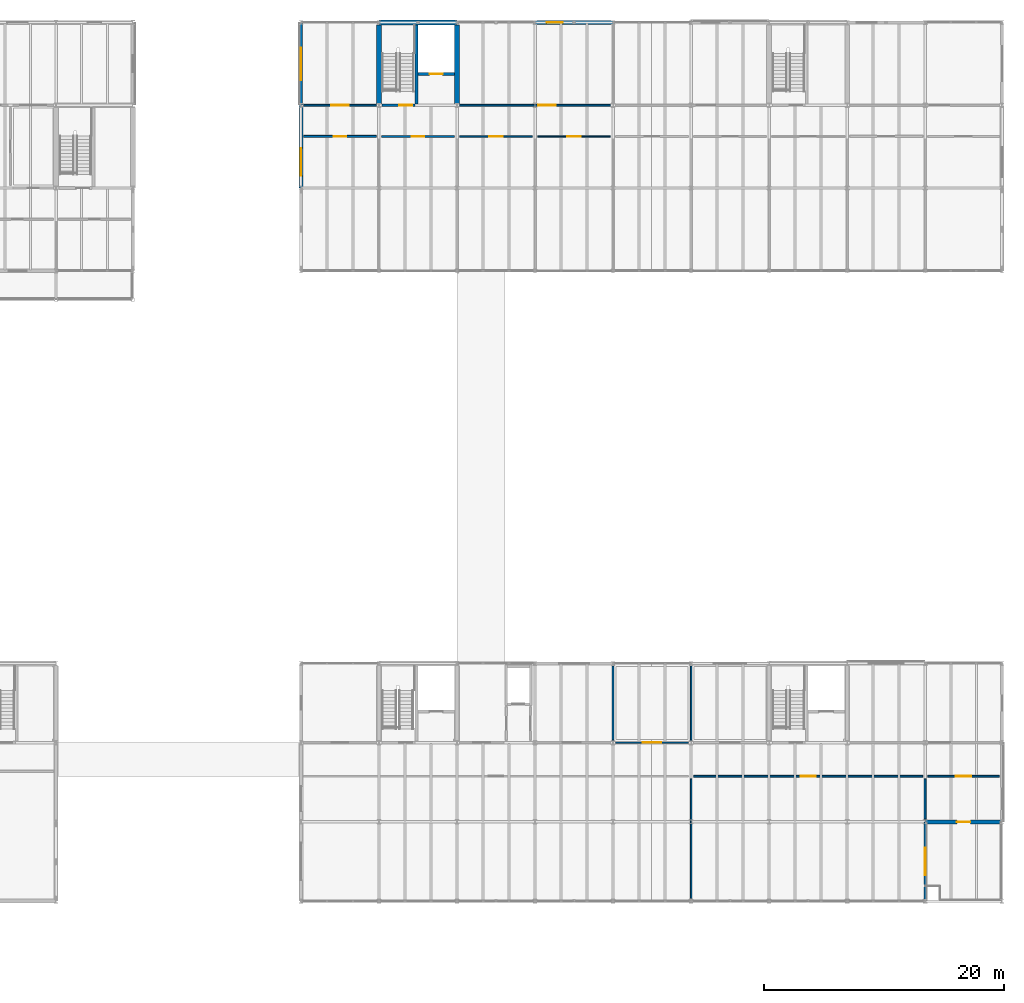
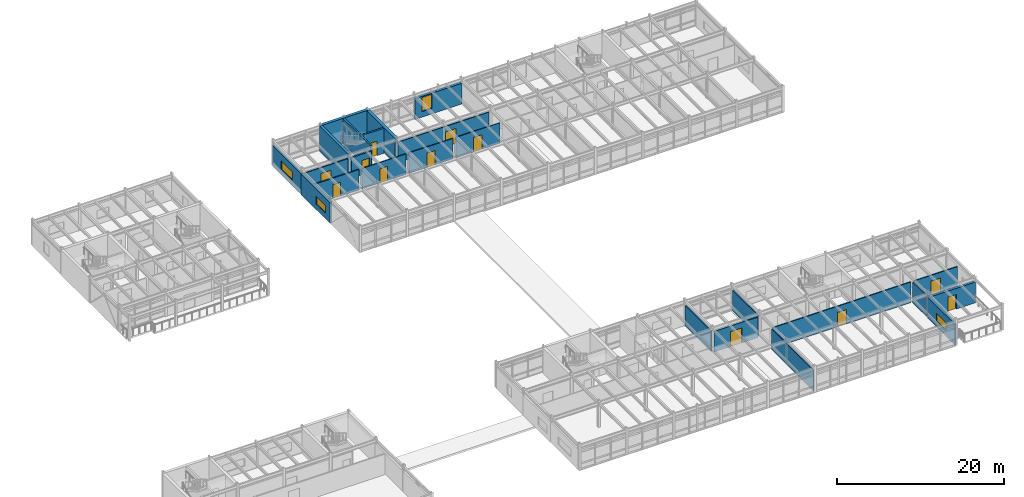
# One storey, part 41 of 49: 24 walls, 12 doors, 4 windows, 16 openings.
"""IFC4 building model written with IfcOpenShell, lengths in metres."""

from ifc_helpers import new_model, si_unit, direction, frame, frame_2d, origin, place, context, subcontext, project, spatial, rectangle, extrude, material, layer, layer_set, type_object, element, fill, save


model = new_model("IFC4")

# Units and contexts
model_context = context("Model", 3, precision=1e-05, world=origin(), true_north=direction((0.0, 1.0)))
body_context = subcontext(model_context, "Body", "Model", "MODEL_VIEW")
ifc_project = project(units=[si_unit("LENGTHUNIT", "METRE"), si_unit("AREAUNIT", "SQUARE_METRE"), si_unit("VOLUMEUNIT", "CUBIC_METRE"), si_unit("PLANEANGLEUNIT", "RADIAN"), si_unit("MASSUNIT", "GRAM", prefix="KILO")], contexts=[model_context])

# Site, building, storey
site_placement = place(None, origin())
site = spatial("IfcSite", under=ifc_project, at=site_placement, CompositionType="ELEMENT")
building_placement = place(site_placement, origin())
building = spatial("IfcBuilding", under=site, at=building_placement, Name="Trelmorton Wharf Fire Station", CompositionType="ELEMENT")
storey_placement = place(building_placement, frame((0.0, 0.0, 9.60009765625)))
storey = spatial("IfcBuildingStorey", under=building, at=storey_placement, Name="L02", CompositionType="ELEMENT", Elevation=9.60009765625)

# Wall, opening, window
ifc_material_1 = material(Name="Precast concrete 45 MPa", Category="concrete")
ifc_layer_1 = layer(ifc_material_1, 0.22998046875)
ifc_layer_set_1 = layer_set([ifc_layer_1], Name="Precast concrete 45 MPa")
wall_type_1 = type_object("IfcWallType", Name="EW_PREC_230", PredefinedType="SOLIDWALL", material=ifc_layer_set_1)
wall_1_placement = place(storey_placement, frame((156.0, 14.39501953125, 0.0), z_axis=(0.0, 0.0, 1.0), x_axis=(0.0, -1.0, 0.0)))
wall_1 = element("IfcWall", 1, at=wall_1_placement, inside=storey, type_object=wall_type_1, Name="EW-V5-L02-0090", PredefinedType="SOLIDWALL", context=body_context, shape_type="SweptSolid", body=[
    extrude(rectangle(XDim=6.590087890625, YDim=0.22998046875, at=frame_2d((3.294921875, 0.0))), origin(), (0.0, 0.0, 1.0), 3.02001953125),
])
opening_1_placement = place(wall_1_placement, frame((2.14501953125, 0.0, 0.800048828125)))
opening_1 = element("IfcOpeningElement", 2, at=opening_1_placement, cuts=wall_1, Name="Opening W25", PredefinedType="OPENING", context=body_context, shape_type="SweptSolid", body=[
    extrude(rectangle(XDim=2.300048828125, YDim=1.14990234375, at=frame_2d((1.14990234375, 0.574951171875))), frame((0.0, 0.125, 0.0), z_axis=(0.0, -1.0, 0.0), x_axis=(1.0, 0.0, 0.0)), (0.0, 0.0, 1.0), 0.25),
])
ifc_material_2 = material(Name="Tempered low-E double glazing", Category="glass")
window_type_1 = type_object("IfcWindowType", Name="WIN_W25", PartitioningType="DOUBLE_PANEL_VERTICAL", PredefinedType="WINDOW", material=ifc_material_2)
window_1_placement = place(opening_1_placement, origin())
window_1 = element("IfcWindow", 3, at=window_1_placement, inside=storey, type_object=window_type_1, Name="WN-V5-L02-0040", OverallHeight=1.14990234375, OverallWidth=2.300048828125, PartitioningType="DOUBLE_PANEL_VERTICAL", PredefinedType="WINDOW", context=body_context, shape_type="SweptSolid", body=[
    extrude(rectangle(XDim=2.300048828125, YDim=1.14990234375, at=frame_2d((1.14990234375, 0.574951171875))), frame((0.0, 0.030029296875, 0.0), z_axis=(0.0, -1.0, 0.0), x_axis=(1.0, 0.0, 0.0)), (0.0, 0.0, 1.0), 0.06005859375),
])
fill(opening_1, window_1)

wall_2_placement = place(storey_placement, frame((104.0, 74.10498046875, 0.0), z_axis=(0.0, 0.0, 1.0), x_axis=(0.0, 1.0, 0.0)))
wall_2 = element("IfcWall", 4, at=wall_2_placement, inside=storey, type_object=wall_type_1, Name="EW-V4-L02-0234", PredefinedType="SOLIDWALL", context=body_context, shape_type="SweptSolid", body=[
    extrude(rectangle(XDim=6.89013671875, YDim=0.22998046875, at=frame_2d((3.445068359375, 0.0))), origin(), (0.0, 0.0, 1.0), 3.02001953125),
])
opening_2_placement = place(wall_2_placement, frame((2.094970703125, 0.0, 0.800048828125)))
opening_2 = element("IfcOpeningElement", 5, at=opening_2_placement, cuts=wall_2, Name="Opening W27", PredefinedType="OPENING", context=body_context, shape_type="SweptSolid", body=[
    extrude(rectangle(XDim=2.699951171875, YDim=1.14990234375, at=frame_2d((1.35009765625, 0.574951171875))), frame((0.0, 0.125, 0.0), z_axis=(0.0, -1.0, 0.0), x_axis=(1.0, 0.0, 0.0)), (0.0, 0.0, 1.0), 0.25),
])
window_type_2 = type_object("IfcWindowType", Name="WIN_W27", PartitioningType="TRIPLE_PANEL_VERTICAL", PredefinedType="WINDOW", material=ifc_material_2)
window_2_placement = place(opening_2_placement, origin())
window_2 = element("IfcWindow", 6, at=window_2_placement, inside=storey, type_object=window_type_2, Name="WN-V4-L02-0134", OverallHeight=1.14990234375, OverallWidth=2.699951171875, PartitioningType="TRIPLE_PANEL_VERTICAL", PredefinedType="WINDOW", context=body_context, shape_type="SweptSolid", body=[
    extrude(rectangle(XDim=2.699951171875, YDim=1.14990234375, at=frame_2d((1.35009765625, 0.574951171875))), frame((0.0, 0.030029296875, 0.0), z_axis=(0.0, -1.0, 0.0), x_axis=(1.0, 0.0, 0.0)), (0.0, 0.0, 1.0), 0.06005859375),
])
fill(opening_2, window_2)

ifc_layer_2 = layer(ifc_material_1, 0.31005859375)
ifc_layer_set_2 = layer_set([ifc_layer_2], Name="Precast concrete 45 MPa")
wall_type_2 = type_object("IfcWallType", Name="EW_TERR_310", PredefinedType="SOLIDWALL", material=ifc_layer_set_2)
wall_3_placement = place(storey_placement, frame((104.0, 67.205078125, 0.0), z_axis=(0.0, 0.0, 1.0), x_axis=(0.0, 1.0, 0.0)))
wall_3 = element("IfcWall", 7, at=wall_3_placement, inside=storey, type_object=wall_type_2, Name="EW-V4-L02-0232", PredefinedType="SOLIDWALL", context=body_context, shape_type="SweptSolid", body=[
    extrude(rectangle(XDim=6.889892578125, YDim=0.31005859375, at=frame_2d((3.44482421875, 0.0))), origin(), (0.0, 0.0, 1.0), 3.02001953125),
])
opening_3_placement = place(wall_3_placement, frame((1.012451171875, 0.0, 0.800048828125)))
opening_3 = element("IfcOpeningElement", 8, at=opening_3_placement, cuts=wall_3, Name="Opening W25", PredefinedType="OPENING", context=body_context, shape_type="SweptSolid", body=[
    extrude(rectangle(XDim=2.300048828125, YDim=1.14990234375, at=frame_2d((1.14990234375, 0.574951171875))), frame((0.0, 0.1650390625, 0.0), z_axis=(0.0, -1.0, 0.0), x_axis=(1.0, 0.0, 0.0)), (0.0, 0.0, 1.0), 0.330078125),
])
window_3_placement = place(opening_3_placement, origin())
window_3 = element("IfcWindow", 9, at=window_3_placement, inside=storey, type_object=window_type_1, Name="WN-V4-L02-0132", OverallHeight=1.14990234375, OverallWidth=2.300048828125, PartitioningType="DOUBLE_PANEL_VERTICAL", PredefinedType="WINDOW", context=body_context, shape_type="SweptSolid", body=[
    extrude(rectangle(XDim=2.300048828125, YDim=1.14990234375, at=frame_2d((1.14990234375, 0.574951171875))), frame((0.0, 0.030029296875, 0.0), z_axis=(0.0, -1.0, 0.0), x_axis=(1.0, 0.0, 0.0)), (0.0, 0.0, 1.0), 0.06005859375),
])
fill(opening_3, window_3)

# Wall, opening, door
ifc_layer_3 = layer(ifc_material_1, 0.330078125)
ifc_layer_set_3 = layer_set([ifc_layer_3], Name="Precast concrete 45 MPa")
wall_type_3 = type_object("IfcWallType", Name="EW_TERR_330", PredefinedType="SOLIDWALL", material=ifc_layer_set_3)
wall_4_placement = place(storey_placement, frame((162.39501953125, 14.39990234375, 0.0), z_axis=(0.0, 0.0, 1.0), x_axis=(-1.0, 0.0, 0.0)))
wall_4 = element("IfcWall", 10, at=wall_4_placement, inside=storey, type_object=wall_type_3, Name="EW-V5-L02-0089", PredefinedType="SOLIDWALL", context=body_context, shape_type="SweptSolid", body=[
    extrude(rectangle(XDim=6.39013671875, YDim=0.330078125, at=frame_2d((3.195068359375, 0.0))), origin(), (0.0, 0.0, 1.0), 3.02001953125),
])
opening_4_placement = place(wall_4_placement, frame((2.625, 0.0, 0.0)))
opening_4 = element("IfcOpeningElement", 11, at=opening_4_placement, cuts=wall_4, Name="Opening TD-016", PredefinedType="OPENING", context=body_context, shape_type="SweptSolid", body=[
    extrude(rectangle(XDim=1.139892578125, YDim=2.139892578125, at=frame_2d((0.56982421875, 1.06982421875))), frame((0.0, 0.175048828125, 0.0), z_axis=(0.0, -1.0, 0.0), x_axis=(1.0, 0.0, 0.0)), (0.0, 0.0, 1.0), 0.35009765625),
])
ifc_material_3 = material(Name="Anodised aluminium AW-6063", Category="aluminium")
door_type_1 = type_object("IfcDoorType", Name="DR_TER_SGL_114", OperationType="NOTDEFINED", PredefinedType="DOOR", material=ifc_material_3)
door_1_placement = place(opening_4_placement, origin())
door_1 = element("IfcDoor", 12, at=door_1_placement, inside=storey, type_object=door_type_1, Name="Terrace Door TD-016", OperationType="SINGLE_SWING_RIGHT", OverallHeight=2.139892578125, OverallWidth=1.139892578125, PredefinedType="DOOR", context=body_context, shape_type="SweptSolid", body=[
    extrude(rectangle(XDim=1.139892578125, YDim=2.139892578125, at=frame_2d((0.56982421875, 1.06982421875))), frame((0.0, 0.02490234375, 0.0), z_axis=(0.0, -1.0, 0.0), x_axis=(1.0, 0.0, 0.0)), (0.0, 0.0, 1.0), 0.050048828125),
])
fill(opening_4, door_1)

# Wall, opening, window
wall_5_placement = place(storey_placement, frame((123.5048828125, 81.0, 0.0), z_axis=(0.0, 0.0, 1.0), x_axis=(1.0, 0.0, 0.0)))
wall_5 = element("IfcWall", 13, at=wall_5_placement, inside=storey, type_object=wall_type_3, Name="EW-V4-L02-0227", PredefinedType="SOLIDWALL", context=body_context, shape_type="SweptSolid", body=[
    extrude(rectangle(XDim=6.490234375, YDim=0.330078125, at=frame_2d((3.2451171875, 0.0))), origin(), (0.0, 0.0, 1.0), 3.02001953125),
])
opening_5_placement = place(wall_5_placement, frame((0.96240234375, 0.0, 0.800048828125)))
opening_5 = element("IfcOpeningElement", 14, at=opening_5_placement, cuts=wall_5, Name="Opening W22", PredefinedType="OPENING", context=body_context, shape_type="SweptSolid", body=[
    extrude(rectangle(XDim=1.35009765625, YDim=2.050048828125, at=frame_2d((0.675048828125, 1.02490234375))), frame((0.0, 0.175048828125, 0.0), z_axis=(0.0, -1.0, 0.0), x_axis=(1.0, 0.0, 0.0)), (0.0, 0.0, 1.0), 0.35009765625),
])
window_type_3 = type_object("IfcWindowType", Name="WIN_W22", PartitioningType="SINGLE_PANEL", PredefinedType="WINDOW", material=ifc_material_2)
window_4_placement = place(opening_5_placement, origin())
window_4 = element("IfcWindow", 15, at=window_4_placement, inside=storey, type_object=window_type_3, Name="WN-V4-L02-0129", OverallHeight=2.050048828125, OverallWidth=1.35009765625, PartitioningType="SINGLE_PANEL", PredefinedType="WINDOW", context=body_context, shape_type="SweptSolid", body=[
    extrude(rectangle(XDim=1.35009765625, YDim=2.050048828125, at=frame_2d((0.675048828125, 1.02490234375))), frame((0.0, 0.030029296875, 0.0), z_axis=(0.0, -1.0, 0.0), x_axis=(1.0, 0.0, 0.0)), (0.0, 0.0, 1.0), 0.06005859375),
])
fill(opening_5, window_4)

# Wall, opening, door
ifc_material_4 = material(Name="Gypsum plasterboard partition")
ifc_layer_4 = layer(ifc_material_4, 0.14990234375)
ifc_layer_set_4 = layer_set([ifc_layer_4], Name="Gypsum plasterboard partition")
wall_type_4 = type_object("IfcWallType", Name="IW_ACOU_150", PredefinedType="PARTITIONING", material=ifc_layer_set_4)
wall_6_placement = place(storey_placement, frame((136.719970703125, 18.199951171875, 0.0), z_axis=(0.0, 0.0, 1.0), x_axis=(1.0, 0.0, 0.0)))
wall_6 = element("IfcWall", 16, at=wall_6_placement, inside=storey, type_object=wall_type_4, Name="IW-L02-0135", PredefinedType="PARTITIONING", context=body_context, shape_type="SweptSolid", body=[
    extrude(rectangle(XDim=19.06005859375, YDim=0.14990234375, at=frame_2d((9.530029296875, 0.0))), origin(), (0.0, 0.0, 1.0), 3.0),
])
opening_6_placement = place(wall_6_placement, frame((8.89501953125, 0.0, 0.0)))
opening_6 = element("IfcOpeningElement", 17, at=opening_6_placement, cuts=wall_6, Name="Opening D-092", PredefinedType="OPENING", context=body_context, shape_type="SweptSolid", body=[
    extrude(rectangle(XDim=1.27001953125, YDim=2.10009765625, at=frame_2d((0.635009765625, 1.050048828125))), frame((0.0, 0.0849609375, 0.0), z_axis=(0.0, -1.0, 0.0), x_axis=(1.0, 0.0, 0.0)), (0.0, 0.0, 1.0), 0.169921875),
])
ifc_material_5 = material(Name="Acoustic timber panelling", Category="wood")
door_type_2 = type_object("IfcDoorType", Name="DR_INT_127", OperationType="NOTDEFINED", PredefinedType="DOOR", material=ifc_material_5)
door_2_placement = place(opening_6_placement, origin())
door_2 = element("IfcDoor", 18, at=door_2_placement, inside=storey, type_object=door_type_2, Name="Interior Door D-092", OperationType="SINGLE_SWING_LEFT", OverallHeight=2.10009765625, OverallWidth=1.27001953125, PredefinedType="DOOR", context=body_context, shape_type="SweptSolid", body=[
    extrude(rectangle(XDim=1.27001953125, YDim=2.10009765625, at=frame_2d((0.635009765625, 1.050048828125))), frame((0.0, 0.02490234375, 0.0), z_axis=(0.0, -1.0, 0.0), x_axis=(1.0, 0.0, 0.0)), (0.0, 0.0, 1.0), 0.050048828125),
])
fill(opening_6, door_2)

# Wall
ifc_layer_5 = layer(ifc_material_4, 0.159912109375)
ifc_layer_set_5 = layer_set([ifc_layer_5], Name="Gypsum plasterboard partition")
wall_type_5 = type_object("IfcWallType", Name="IW_ACOU_160", PredefinedType="PARTITIONING", material=ifc_layer_set_5)
wall_7_placement = place(storey_placement, frame((156.0, 14.6201171875, 0.0), z_axis=(0.0, 0.0, 1.0), x_axis=(0.0, 1.0, 0.0)))
element("IfcWall", 19, at=wall_7_placement, inside=storey, type_object=wall_type_5, Name="IW-L02-0134", PredefinedType="PARTITIONING", context=body_context, shape_type="SweptSolid", body=[
    extrude(rectangle(XDim=3.35986328125, YDim=0.159912109375, at=frame_2d((1.679931640625, 0.0))), origin(), (0.0, 0.0, 1.0), 3.0),
])

# Wall, opening, door
wall_8_placement = place(storey_placement, frame((104.219970703125, 71.5, 0.0), z_axis=(0.0, 0.0, 1.0), x_axis=(1.0, 0.0, 0.0)))
wall_8 = element("IfcWall", 20, at=wall_8_placement, inside=storey, type_object=wall_type_5, Name="IW-L02-0155", PredefinedType="PARTITIONING", context=body_context, shape_type="SweptSolid", body=[
    extrude(rectangle(XDim=6.06005859375, YDim=0.159912109375, at=frame_2d((3.030029296875, 0.0))), origin(), (0.0, 0.0, 1.0), 3.0),
])
opening_7_placement = place(wall_8_placement, frame((2.514892578125, 0.0, 0.0)))
opening_7 = element("IfcOpeningElement", 21, at=opening_7_placement, cuts=wall_8, Name="Opening D-106", PredefinedType="OPENING", context=body_context, shape_type="SweptSolid", body=[
    extrude(rectangle(XDim=1.030029296875, YDim=2.06005859375, at=frame_2d((0.51513671875, 1.030029296875))), frame((0.0, 0.08984375, 0.0), z_axis=(0.0, -1.0, 0.0), x_axis=(1.0, 0.0, 0.0)), (0.0, 0.0, 1.0), 0.179931640625),
])
door_type_3 = type_object("IfcDoorType", Name="DR_INT_103", OperationType="NOTDEFINED", PredefinedType="DOOR", material=ifc_material_5)
door_3_placement = place(opening_7_placement, origin())
door_3 = element("IfcDoor", 22, at=door_3_placement, inside=storey, type_object=door_type_3, Name="Interior Door D-106", OperationType="SINGLE_SWING_RIGHT", OverallHeight=2.06005859375, OverallWidth=1.030029296875, PredefinedType="DOOR", context=body_context, shape_type="SweptSolid", body=[
    extrude(rectangle(XDim=1.030029296875, YDim=2.06005859375, at=frame_2d((0.51513671875, 1.030029296875))), frame((0.0, 0.02490234375, 0.0), z_axis=(0.0, -1.0, 0.0), x_axis=(1.0, 0.0, 0.0)), (0.0, 0.0, 1.0), 0.050048828125),
])
fill(opening_7, door_3)

# Wall
ifc_material_6 = material(Name="Concrete 40 MPa", Category="concrete")
ifc_layer_6 = layer(ifc_material_6, 0.219970703125)
ifc_layer_set_6 = layer_set([ifc_layer_6], Name="Concrete 40 MPa")
wall_type_6 = type_object("IfcWallType", Name="IW_CORE_220", PredefinedType="SOLIDWALL", material=ifc_layer_set_6)
wall_9_placement = place(storey_placement, frame((113.6201171875, 74.219970703125, 0.0), z_axis=(0.0, 0.0, 1.0), x_axis=(0.0, 1.0, 0.0)))
element("IfcWall", 23, at=wall_9_placement, inside=storey, type_object=wall_type_6, Name="IW-C7-DIV-L02", PredefinedType="SOLIDWALL", context=body_context, shape_type="SweptSolid", body=[
    extrude(rectangle(XDim=6.554931640625, YDim=0.219970703125, at=frame_2d((3.27734375, 0.0))), origin(), (0.0, 0.0, 1.0), 3.659912109375),
])

# Wall, opening, door
wall_10_placement = place(storey_placement, frame((110.760009765625, 74.10009765625, 0.0), z_axis=(0.0, 0.0, 1.0), x_axis=(1.0, 0.0, 0.0)))
wall_10 = element("IfcWall", 24, at=wall_10_placement, inside=storey, type_object=wall_type_6, Name="IW-C7-SF-L02", PredefinedType="SOLIDWALL", context=body_context, shape_type="SweptSolid", body=[
    extrude(rectangle(XDim=2.739990234375, YDim=0.219970703125, at=frame_2d((1.3701171875, 0.0))), origin(), (0.0, 0.0, 1.0), 3.02001953125),
])
opening_8_placement = place(wall_10_placement, frame((1.43994140625, 0.0, 0.0)))
opening_8 = element("IfcOpeningElement", 25, at=opening_8_placement, cuts=wall_10, Name="Opening FD-044", PredefinedType="OPENING", context=body_context, shape_type="SweptSolid", body=[
    extrude(rectangle(XDim=1.06005859375, YDim=2.10009765625, at=frame_2d((0.530029296875, 1.050048828125))), frame((0.0, 0.1201171875, 0.0), z_axis=(0.0, -1.0, 0.0), x_axis=(1.0, 0.0, 0.0)), (0.0, 0.0, 1.0), 0.239990234375),
])
ifc_material_7 = material(Name="Stainless steel 316 marine grade", Category="steel")
door_type_4 = type_object("IfcDoorType", Name="DR_FIRE_106", OperationType="NOTDEFINED", PredefinedType="DOOR", material=ifc_material_7)
door_4_placement = place(opening_8_placement, origin())
door_4 = element("IfcDoor", 26, at=door_4_placement, inside=storey, type_object=door_type_4, Name="Stair Fire Door FD-044", OperationType="SINGLE_SWING_RIGHT", OverallHeight=2.10009765625, OverallWidth=1.06005859375, PredefinedType="DOOR", context=body_context, shape_type="SweptSolid", body=[
    extrude(rectangle(XDim=1.06005859375, YDim=2.10009765625, at=frame_2d((0.530029296875, 1.050048828125))), frame((0.0, 0.02490234375, 0.0), z_axis=(0.0, -1.0, 0.0), x_axis=(1.0, 0.0, 0.0)), (0.0, 0.0, 1.0), 0.050048828125),
])
fill(opening_8, door_4)

wall_11_placement = place(storey_placement, frame((113.739990234375, 76.699951171875, 0.0), z_axis=(0.0, 0.0, 1.0), x_axis=(1.0, 0.0, 0.0)))
wall_11 = element("IfcWall", 27, at=wall_11_placement, inside=storey, type_object=wall_type_6, Name="IW-C7-LSH-L02", PredefinedType="SOLIDWALL", context=body_context, shape_type="SweptSolid", body=[
    extrude(rectangle(XDim=3.034912109375, YDim=0.219970703125, at=frame_2d((1.517578125, 0.0))), origin(), (0.0, 0.0, 1.0), 3.659912109375),
])
opening_9_placement = place(wall_11_placement, frame((0.967529296875, 0.0, 0.0)))
opening_9 = element("IfcOpeningElement", 28, at=opening_9_placement, cuts=wall_11, Name="Opening LD-035", PredefinedType="OPENING", context=body_context, shape_type="SweptSolid", body=[
    extrude(rectangle(XDim=1.10009765625, YDim=2.10009765625, at=frame_2d((0.550048828125, 1.050048828125))), frame((0.0, 0.1201171875, 0.0), z_axis=(0.0, -1.0, 0.0), x_axis=(1.0, 0.0, 0.0)), (0.0, 0.0, 1.0), 0.239990234375),
])
door_type_5 = type_object("IfcDoorType", Name="DR_LIFT_110", OperationType="DOUBLE_DOOR_SLIDING", PredefinedType="DOOR", material=ifc_material_7)
door_5_placement = place(opening_9_placement, origin())
door_5 = element("IfcDoor", 29, at=door_5_placement, inside=storey, type_object=door_type_5, Name="Lift Landing Door LD-035", OperationType="DOUBLE_DOOR_SLIDING", OverallHeight=2.10009765625, OverallWidth=1.10009765625, PredefinedType="DOOR", context=body_context, shape_type="SweptSolid", body=[
    extrude(rectangle(XDim=1.10009765625, YDim=2.10009765625, at=frame_2d((0.550048828125, 1.050048828125))), frame((0.0, 0.02490234375, 0.0), z_axis=(0.0, -1.0, 0.0), x_axis=(1.0, 0.0, 0.0)), (0.0, 0.0, 1.0), 0.050048828125),
])
fill(opening_9, door_5)

ifc_layer_7 = layer(ifc_material_4, 0.10009765625)
ifc_layer_set_7 = layer_set([ifc_layer_7], Name="Gypsum plasterboard partition")
wall_type_7 = type_object("IfcWallType", Name="IW_PART_100", PredefinedType="PARTITIONING", material=ifc_layer_set_7)
wall_12_placement = place(storey_placement, frame((130.219970703125, 21.0, 0.0), z_axis=(0.0, 0.0, 1.0), x_axis=(1.0, 0.0, 0.0)))
wall_12 = element("IfcWall", 30, at=wall_12_placement, inside=storey, type_object=wall_type_7, Name="IW-L02-0140", PredefinedType="PARTITIONING", context=body_context, shape_type="SweptSolid", body=[
    extrude(rectangle(XDim=6.06005859375, YDim=0.10009765625, at=frame_2d((3.030029296875, 0.0))), origin(), (0.0, 0.0, 1.0), 3.0),
])
opening_10_placement = place(wall_12_placement, frame((2.25, 0.0, 0.0)))
opening_10 = element("IfcOpeningElement", 31, at=opening_10_placement, cuts=wall_12, Name="Opening D-097", PredefinedType="OPENING", context=body_context, shape_type="SweptSolid", body=[
    extrude(rectangle(XDim=1.56005859375, YDim=2.179931640625, at=frame_2d((0.780029296875, 1.08984375))), frame((0.0, 0.06005859375, 0.0), z_axis=(0.0, -1.0, 0.0), x_axis=(1.0, 0.0, 0.0)), (0.0, 0.0, 1.0), 0.1201171875),
])
door_type_6 = type_object("IfcDoorType", Name="DR_INT_156", OperationType="DOUBLE_DOOR_SINGLE_SWING", PredefinedType="DOOR", material=ifc_material_5)
door_6_placement = place(opening_10_placement, origin())
door_6 = element("IfcDoor", 32, at=door_6_placement, inside=storey, type_object=door_type_6, Name="Interior Door D-097", OperationType="DOUBLE_DOOR_SINGLE_SWING", OverallHeight=2.179931640625, OverallWidth=1.56005859375, PredefinedType="DOOR", context=body_context, shape_type="SweptSolid", body=[
    extrude(rectangle(XDim=1.56005859375, YDim=2.179931640625, at=frame_2d((0.780029296875, 1.08984375))), frame((0.0, 0.02490234375, 0.0), z_axis=(0.0, -1.0, 0.0), x_axis=(1.0, 0.0, 0.0)), (0.0, 0.0, 1.0), 0.050048828125),
])
fill(opening_10, door_6)

wall_13_placement = place(storey_placement, frame((123.719970703125, 71.5, 0.0), z_axis=(0.0, 0.0, 1.0), x_axis=(1.0, 0.0, 0.0)))
wall_13 = element("IfcWall", 33, at=wall_13_placement, inside=storey, type_object=wall_type_7, Name="IW-L02-0161", PredefinedType="PARTITIONING", context=body_context, shape_type="SweptSolid", body=[
    extrude(rectangle(XDim=6.06005859375, YDim=0.10009765625, at=frame_2d((3.030029296875, 0.0))), origin(), (0.0, 0.0, 1.0), 3.0),
])
opening_11_placement = place(wall_13_placement, frame((2.455078125, 0.0, 0.0)))
opening_11 = element("IfcOpeningElement", 34, at=opening_11_placement, cuts=wall_13, Name="Opening D-109", PredefinedType="OPENING", context=body_context, shape_type="SweptSolid", body=[
    extrude(rectangle(XDim=1.14990234375, YDim=2.1201171875, at=frame_2d((0.574951171875, 1.06005859375))), frame((0.0, 0.06005859375, 0.0), z_axis=(0.0, -1.0, 0.0), x_axis=(1.0, 0.0, 0.0)), (0.0, 0.0, 1.0), 0.1201171875),
])
door_type_7 = type_object("IfcDoorType", Name="DR_INT_115", OperationType="NOTDEFINED", PredefinedType="DOOR", material=ifc_material_5)
door_7_placement = place(opening_11_placement, origin())
door_7 = element("IfcDoor", 35, at=door_7_placement, inside=storey, type_object=door_type_7, Name="Interior Door D-109", OperationType="SINGLE_SWING_LEFT", OverallHeight=2.1201171875, OverallWidth=1.14990234375, PredefinedType="DOOR", context=body_context, shape_type="SweptSolid", body=[
    extrude(rectangle(XDim=1.14990234375, YDim=2.1201171875, at=frame_2d((0.574951171875, 1.06005859375))), frame((0.0, 0.02490234375, 0.0), z_axis=(0.0, -1.0, 0.0), x_axis=(1.0, 0.0, 0.0)), (0.0, 0.0, 1.0), 0.050048828125),
])
fill(opening_11, door_7)

# Walls
ifc_layer_8 = layer(ifc_material_4, 0.110107421875)
ifc_layer_set_8 = layer_set([ifc_layer_8], Name="Gypsum plasterboard partition")
wall_type_8 = type_object("IfcWallType", Name="IW_PART_110", PredefinedType="PARTITIONING", material=ifc_layer_set_8)
wall_14_placement = place(storey_placement, frame((136.5, 8.02001953125, 0.0), z_axis=(0.0, 0.0, 1.0), x_axis=(0.0, 1.0, 0.0)))
element("IfcWall", 36, at=wall_14_placement, inside=storey, type_object=wall_type_8, Name="IW-L02-0132", PredefinedType="PARTITIONING", context=body_context, shape_type="SweptSolid", body=[
    extrude(rectangle(XDim=9.9599609375, YDim=0.110107421875, at=frame_2d((4.97998046875, 0.0))), origin(), (0.0, 0.0, 1.0), 3.0),
])
ifc_layer_9 = layer(ifc_material_4, 0.1298828125)
ifc_layer_set_9 = layer_set([ifc_layer_9], Name="Gypsum plasterboard partition")
wall_type_9 = type_object("IfcWallType", Name="IW_PART_130", PredefinedType="PARTITIONING", material=ifc_layer_set_9)
wall_15_placement = place(storey_placement, frame((136.5, 21.219970703125, 0.0), z_axis=(0.0, 0.0, 1.0), x_axis=(0.0, 1.0, 0.0)))
element("IfcWall", 37, at=wall_15_placement, inside=storey, type_object=wall_type_9, Name="IW-L02-0144", PredefinedType="PARTITIONING", context=body_context, shape_type="SweptSolid", body=[
    extrude(rectangle(XDim=6.159912109375, YDim=0.1298828125, at=frame_2d((3.080078125, 0.0))), origin(), (0.0, 0.0, 1.0), 3.0),
])

# Wall, opening, door
wall_16_placement = place(storey_placement, frame((117.219970703125, 74.10009765625, 0.0), z_axis=(0.0, 0.0, 1.0), x_axis=(1.0, 0.0, 0.0)))
wall_16 = element("IfcWall", 38, at=wall_16_placement, inside=storey, type_object=wall_type_9, Name="IW-L02-0172", PredefinedType="PARTITIONING", context=body_context, shape_type="SweptSolid", body=[
    extrude(rectangle(XDim=12.56005859375, YDim=0.1298828125, at=frame_2d((6.280029296875, 0.0))), origin(), (0.0, 0.0, 1.0), 3.0),
])
opening_12_placement = place(wall_16_placement, frame((6.5400390625, 0.0, 0.0)))
opening_12 = element("IfcOpeningElement", 39, at=opening_12_placement, cuts=wall_16, Name="Opening D-116", PredefinedType="OPENING", context=body_context, shape_type="SweptSolid", body=[
    extrude(rectangle(XDim=1.47998046875, YDim=2.179931640625, at=frame_2d((0.739990234375, 1.08984375))), frame((0.0, 0.074951171875, 0.0), z_axis=(0.0, -1.0, 0.0), x_axis=(1.0, 0.0, 0.0)), (0.0, 0.0, 1.0), 0.14990234375),
])
door_type_8 = type_object("IfcDoorType", Name="DR_INT_148", OperationType="DOUBLE_DOOR_SINGLE_SWING", PredefinedType="DOOR", material=ifc_material_5)
door_8_placement = place(opening_12_placement, origin())
door_8 = element("IfcDoor", 40, at=door_8_placement, inside=storey, type_object=door_type_8, Name="Interior Door D-116", OperationType="DOUBLE_DOOR_SINGLE_SWING", OverallHeight=2.179931640625, OverallWidth=1.47998046875, PredefinedType="DOOR", context=body_context, shape_type="SweptSolid", body=[
    extrude(rectangle(XDim=1.47998046875, YDim=2.179931640625, at=frame_2d((0.739990234375, 1.08984375))), frame((0.0, 0.02490234375, 0.0), z_axis=(0.0, -1.0, 0.0), x_axis=(1.0, 0.0, 0.0)), (0.0, 0.0, 1.0), 0.050048828125),
])
fill(opening_12, door_8)

ifc_layer_10 = layer(ifc_material_4, 0.139892578125)
ifc_layer_set_10 = layer_set([ifc_layer_10], Name="Gypsum plasterboard partition")
wall_type_10 = type_object("IfcWallType", Name="IW_PART_140", PredefinedType="PARTITIONING", material=ifc_layer_set_10)
wall_17_placement = place(storey_placement, frame((156.219970703125, 18.199951171875, 0.0), z_axis=(0.0, 0.0, 1.0), x_axis=(1.0, 0.0, 0.0)))
wall_17 = element("IfcWall", 41, at=wall_17_placement, inside=storey, type_object=wall_type_10, Name="IW-L02-0136", PredefinedType="PARTITIONING", context=body_context, shape_type="SweptSolid", body=[
    extrude(rectangle(XDim=5.9599609375, YDim=0.139892578125, at=frame_2d((2.97998046875, 0.0))), origin(), (0.0, 0.0, 1.0), 3.0),
])
opening_13_placement = place(wall_17_placement, frame((2.324951171875, 0.0, 0.0)))
opening_13 = element("IfcOpeningElement", 42, at=opening_13_placement, cuts=wall_17, Name="Opening D-093", PredefinedType="OPENING", context=body_context, shape_type="SweptSolid", body=[
    extrude(rectangle(XDim=1.31005859375, YDim=2.139892578125, at=frame_2d((0.655029296875, 1.06982421875))), frame((0.0, 0.080078125, 0.0), z_axis=(0.0, -1.0, 0.0), x_axis=(1.0, 0.0, 0.0)), (0.0, 0.0, 1.0), 0.159912109375),
])
door_type_9 = type_object("IfcDoorType", Name="DR_INT_131", OperationType="NOTDEFINED", PredefinedType="DOOR", material=ifc_material_5)
door_9_placement = place(opening_13_placement, origin())
door_9 = element("IfcDoor", 43, at=door_9_placement, inside=storey, type_object=door_type_9, Name="Interior Door D-093", OperationType="SINGLE_SWING_RIGHT", OverallHeight=2.139892578125, OverallWidth=1.31005859375, PredefinedType="DOOR", context=body_context, shape_type="SweptSolid", body=[
    extrude(rectangle(XDim=1.31005859375, YDim=2.139892578125, at=frame_2d((0.655029296875, 1.06982421875))), frame((0.0, 0.02490234375, 0.0), z_axis=(0.0, -1.0, 0.0), x_axis=(1.0, 0.0, 0.0)), (0.0, 0.0, 1.0), 0.050048828125),
])
fill(opening_13, door_9)

# Wall
wall_18_placement = place(storey_placement, frame((130.0, 21.219970703125, 0.0), z_axis=(0.0, 0.0, 1.0), x_axis=(0.0, 1.0, 0.0)))
element("IfcWall", 44, at=wall_18_placement, inside=storey, type_object=wall_type_10, Name="IW-L02-0143", PredefinedType="PARTITIONING", context=body_context, shape_type="SweptSolid", body=[
    extrude(rectangle(XDim=6.159912109375, YDim=0.139892578125, at=frame_2d((3.080078125, 0.0))), origin(), (0.0, 0.0, 1.0), 3.0),
])

# Wall, opening, door
wall_19_placement = place(storey_placement, frame((110.719970703125, 71.5, 0.0), z_axis=(0.0, 0.0, 1.0), x_axis=(1.0, 0.0, 0.0)))
wall_19 = element("IfcWall", 45, at=wall_19_placement, inside=storey, type_object=wall_type_10, Name="IW-L02-0157", PredefinedType="PARTITIONING", context=body_context, shape_type="SweptSolid", body=[
    extrude(rectangle(XDim=6.06005859375, YDim=0.139892578125, at=frame_2d((3.030029296875, 0.0))), origin(), (0.0, 0.0, 1.0), 3.0),
])
opening_14_placement = place(wall_19_placement, frame((2.4951171875, 0.0, 0.0)))
opening_14 = element("IfcOpeningElement", 46, at=opening_14_placement, cuts=wall_19, Name="Opening D-107", PredefinedType="OPENING", context=body_context, shape_type="SweptSolid", body=[
    extrude(rectangle(XDim=1.070068359375, YDim=2.080078125, at=frame_2d((0.53515625, 1.0400390625))), frame((0.0, 0.080078125, 0.0), z_axis=(0.0, -1.0, 0.0), x_axis=(1.0, 0.0, 0.0)), (0.0, 0.0, 1.0), 0.159912109375),
])
door_type_10 = type_object("IfcDoorType", Name="DR_INT_107", OperationType="NOTDEFINED", PredefinedType="DOOR", material=ifc_material_5)
door_10_placement = place(opening_14_placement, origin())
door_10 = element("IfcDoor", 47, at=door_10_placement, inside=storey, type_object=door_type_10, Name="Interior Door D-107", OperationType="SINGLE_SWING_LEFT", OverallHeight=2.080078125, OverallWidth=1.070068359375, PredefinedType="DOOR", context=body_context, shape_type="SweptSolid", body=[
    extrude(rectangle(XDim=1.070068359375, YDim=2.080078125, at=frame_2d((0.53515625, 1.0400390625))), frame((0.0, 0.02490234375, 0.0), z_axis=(0.0, -1.0, 0.0), x_axis=(1.0, 0.0, 0.0)), (0.0, 0.0, 1.0), 0.050048828125),
])
fill(opening_14, door_10)

wall_20_placement = place(storey_placement, frame((104.219970703125, 74.10009765625, 0.0), z_axis=(0.0, 0.0, 1.0), x_axis=(1.0, 0.0, 0.0)))
wall_20 = element("IfcWall", 48, at=wall_20_placement, inside=storey, type_object=wall_type_10, Name="IW-L02-0171", PredefinedType="PARTITIONING", context=body_context, shape_type="SweptSolid", body=[
    extrude(rectangle(XDim=6.06005859375, YDim=0.139892578125, at=frame_2d((3.030029296875, 0.0))), origin(), (0.0, 0.0, 1.0), 3.0),
])
opening_15_placement = place(wall_20_placement, frame((2.320068359375, 0.0, 0.0)))
opening_15 = element("IfcOpeningElement", 49, at=opening_15_placement, cuts=wall_20, Name="Opening D-115", PredefinedType="OPENING", context=body_context, shape_type="SweptSolid", body=[
    extrude(rectangle(XDim=1.419921875, YDim=2.14990234375, at=frame_2d((0.7099609375, 1.074951171875))), frame((0.0, 0.080078125, 0.0), z_axis=(0.0, -1.0, 0.0), x_axis=(1.0, 0.0, 0.0)), (0.0, 0.0, 1.0), 0.159912109375),
])
door_type_11 = type_object("IfcDoorType", Name="DR_INT_142", OperationType="DOUBLE_DOOR_SINGLE_SWING", PredefinedType="DOOR", material=ifc_material_5)
door_11_placement = place(opening_15_placement, origin())
door_11 = element("IfcDoor", 50, at=door_11_placement, inside=storey, type_object=door_type_11, Name="Interior Door D-115", OperationType="DOUBLE_DOOR_SINGLE_SWING", OverallHeight=2.14990234375, OverallWidth=1.419921875, PredefinedType="DOOR", context=body_context, shape_type="SweptSolid", body=[
    extrude(rectangle(XDim=1.419921875, YDim=2.14990234375, at=frame_2d((0.7099609375, 1.074951171875))), frame((0.0, 0.02490234375, 0.0), z_axis=(0.0, -1.0, 0.0), x_axis=(1.0, 0.0, 0.0)), (0.0, 0.0, 1.0), 0.050048828125),
])
fill(opening_15, door_11)

ifc_layer_11 = layer(ifc_material_4, 0.1201171875)
ifc_layer_set_11 = layer_set([ifc_layer_11], Name="Gypsum plasterboard partition")
wall_type_11 = type_object("IfcWallType", Name="IW_WET_120", PredefinedType="PARTITIONING", material=ifc_layer_set_11)
wall_21_placement = place(storey_placement, frame((117.219970703125, 71.5, 0.0), z_axis=(0.0, 0.0, 1.0), x_axis=(1.0, 0.0, 0.0)))
wall_21 = element("IfcWall", 51, at=wall_21_placement, inside=storey, type_object=wall_type_11, Name="IW-L02-0159", PredefinedType="PARTITIONING", context=body_context, shape_type="SweptSolid", body=[
    extrude(rectangle(XDim=6.06005859375, YDim=0.1201171875, at=frame_2d((3.030029296875, 0.0))), origin(), (0.0, 0.0, 1.0), 3.0),
])
opening_16_placement = place(wall_21_placement, frame((2.47509765625, 0.0, 0.0)))
opening_16 = element("IfcOpeningElement", 52, at=opening_16_placement, cuts=wall_21, Name="Opening D-108", PredefinedType="OPENING", context=body_context, shape_type="SweptSolid", body=[
    extrude(rectangle(XDim=1.110107421875, YDim=2.10009765625, at=frame_2d((0.55517578125, 1.050048828125))), frame((0.0, 0.070068359375, 0.0), z_axis=(0.0, -1.0, 0.0), x_axis=(1.0, 0.0, 0.0)), (0.0, 0.0, 1.0), 0.14013671875),
])
door_type_12 = type_object("IfcDoorType", Name="DR_INT_111", OperationType="NOTDEFINED", PredefinedType="DOOR", material=ifc_material_5)
door_12_placement = place(opening_16_placement, origin())
door_12 = element("IfcDoor", 53, at=door_12_placement, inside=storey, type_object=door_type_12, Name="Interior Door D-108", OperationType="SINGLE_SWING_RIGHT", OverallHeight=2.10009765625, OverallWidth=1.110107421875, PredefinedType="DOOR", context=body_context, shape_type="SweptSolid", body=[
    extrude(rectangle(XDim=1.110107421875, YDim=2.10009765625, at=frame_2d((0.55517578125, 1.050048828125))), frame((0.0, 0.02490234375, 0.0), z_axis=(0.0, -1.0, 0.0), x_axis=(1.0, 0.0, 0.0)), (0.0, 0.0, 1.0), 0.050048828125),
])
fill(opening_16, door_12)

# Walls
ifc_material_8 = material(Name="Concrete 50 MPa", Category="concrete")
ifc_layer_12 = layer(ifc_material_8, 0.39990234375)
ifc_layer_set_12 = layer_set([ifc_layer_12], Name="Concrete 50 MPa")
wall_type_12 = type_object("IfcWallType", Name="WL_CORE_400", PredefinedType="SHEAR", material=ifc_layer_set_12)
wall_22_placement = place(storey_placement, frame((110.5, 81.0, 0.0), z_axis=(0.0, 0.0, 1.0), x_axis=(1.0, 0.0, 0.0)))
element("IfcWall", 54, at=wall_22_placement, inside=storey, type_object=wall_type_12, Name="WL-SW-C7-L02-130", PredefinedType="SHEAR", context=body_context, shape_type="SweptSolid", body=[
    extrude(rectangle(XDim=6.5, YDim=0.39990234375, at=frame_2d((3.25, 0.0))), origin(), (0.0, 0.0, 1.0), 3.659912109375),
])
for number, where, z_axis, x_axis, name in (
    (55, (110.5, 74.10009765625, 0.0), (0.0, 0.0, 1.0), (0.0, 1.0, 0.0), "WL-SW-C7-L02-131"),
    (56, (117.0, 74.10009765625, 0.0), (0.0, 0.0, 1.0), (0.0, 1.0, 0.0), "WL-SW-C7-L02-132"),
):
    element("IfcWall", number, at=place(storey_placement, frame(where, z_axis=z_axis, x_axis=x_axis)), inside=storey, type_object=wall_type_12, Name=name, PredefinedType="SHEAR", context=body_context, shape_type="SweptSolid", body=[
        extrude(rectangle(XDim=6.699951171875, YDim=0.39990234375, at=frame_2d((3.35009765625, 0.0))), origin(), (0.0, 0.0, 1.0), 3.659912109375),
    ])

save(model, "model.ifc")
